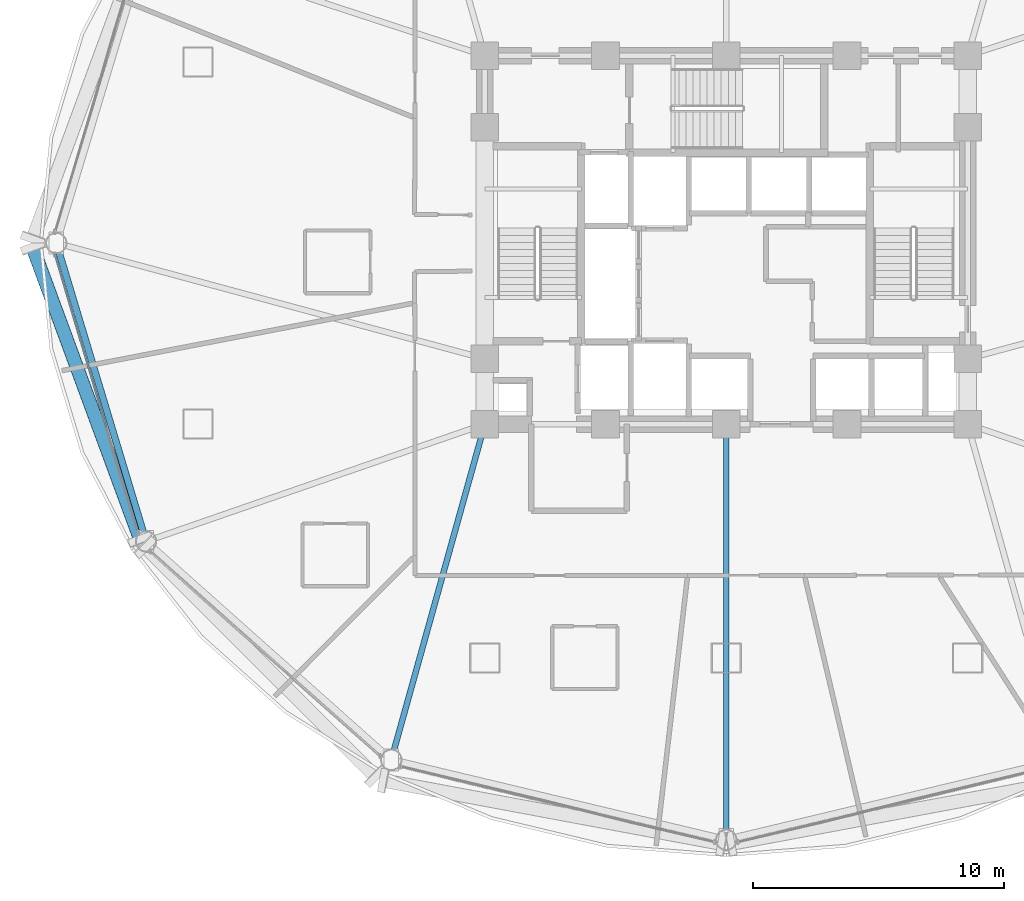
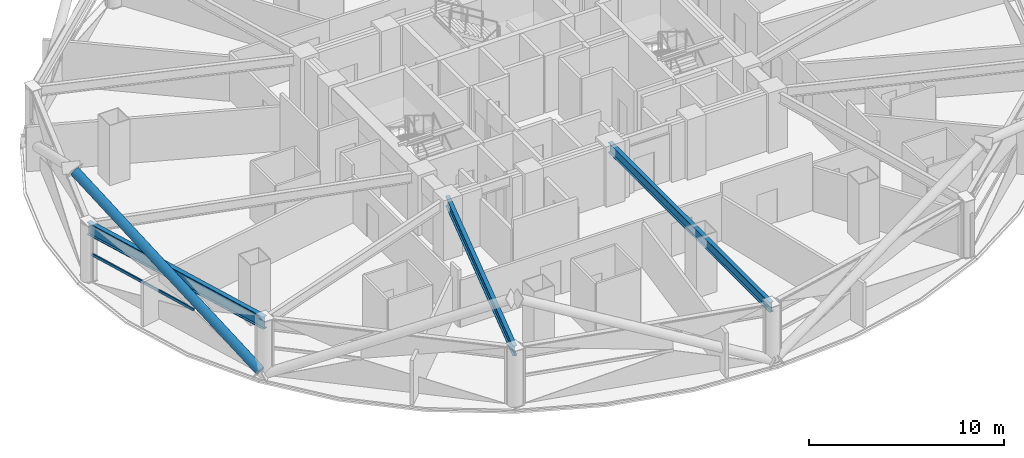
# One storey, part 5 of 30: 3 beams, 2 members, 1 element without a shape of its own.
"""IFC4 building model written with IfcOpenShell, lengths in metres."""

from ifc_helpers import new_model, si_unit, direction, frame, origin, origin_2d, place, context, subcontext, project, spatial, hollow_rectangle, hollow_circle, i_section, extrude, material, layer, layer_set, material_profile, profile_set, type_object, element, aggregate, save


model = new_model("IFC4")

# Units and contexts
model_context = context("Model", 3, precision=1e-05, world=origin(), true_north=direction((0.0, 1.0)))
body_context = subcontext(model_context, "Body", "Model", "MODEL_VIEW")
ifc_project = project(units=[si_unit("LENGTHUNIT", "METRE"), si_unit("AREAUNIT", "SQUARE_METRE"), si_unit("VOLUMEUNIT", "CUBIC_METRE"), si_unit("PLANEANGLEUNIT", "RADIAN"), si_unit("MASSUNIT", "GRAM", prefix="KILO")], contexts=[model_context])

# Site, building, storey
site_placement = place(None, origin())
site = spatial("IfcSite", under=ifc_project, at=site_placement, CompositionType="ELEMENT")
building_placement = place(site_placement, origin())
building = spatial("IfcBuilding", under=site, at=building_placement, Name="Vantalir Tower", CompositionType="ELEMENT")
storey_placement = place(building_placement, frame((0.0, 0.0, 49.5)))
storey = spatial("IfcBuildingStorey", under=building, at=storey_placement, Name="L11", CompositionType="ELEMENT", Elevation=49.5)

# Beams
ifc_material_1 = material(Name="Steel S355", Category="steel")
ifc_material_profile_1 = material_profile(ifc_material_1, i_section(OverallWidth=0.22998046875, OverallDepth=0.616943359375, WebThickness=0.01318359375, FlangeThickness=0.022216796875, at=origin_2d()), Name="Steel S355")
ifc_profile_set_1 = profile_set([ifc_material_profile_1], Name="Steel S355")
beam_type_1 = type_object("IfcBeamType", Name="BM-RB-610x229", PredefinedType="BEAM", material=ifc_profile_set_1)
beam_1_placement = place(storey_placement, frame((18.179931640625, 4.452880859375, 3.261962890625), z_axis=(0.268476196098, 0.963286318873, 0.0), x_axis=(-0.963286318873, 0.268476196098, 0.0)))
element("IfcBeam", 1, at=beam_1_placement, inside=storey, type_object=beam_type_1, Name="L11 Radial Floor Beam 09", PredefinedType="BEAM", context=body_context, shape_type="SweptSolid", body=[
    extrude(i_section(OverallWidth=0.22998046875, OverallDepth=0.616943359375, WebThickness=0.01318359375, FlangeThickness=0.022216796875, at=origin_2d()), origin(), (0.0, 0.0, 1.0), 13.85595703125),
])
beam_2_placement = place(storey_placement, frame((31.5, 1.27392578125, 3.261962890625), z_axis=(0.0, 1.0, 0.0), x_axis=(-1.0, 0.0, 0.0)))
element("IfcBeam", 2, at=beam_2_placement, inside=storey, type_object=beam_type_1, Name="L11 Radial Floor Beam 10", PredefinedType="BEAM", context=body_context, shape_type="SweptSolid", body=[
    extrude(i_section(OverallWidth=0.22998046875, OverallDepth=0.616943359375, WebThickness=0.01318359375, FlangeThickness=0.022216796875, at=origin_2d()), origin(), (0.0, 0.0, 1.0), 16.526123046875),
])
ifc_material_2 = material(Name="Steel S460", Category="steel")
ifc_material_profile_2 = material_profile(ifc_material_2, i_section(OverallWidth=0.26806640625, OverallDepth=0.77001953125, WebThickness=0.015625, FlangeThickness=0.025390625, at=origin_2d()), Name="Steel S460")
ifc_profile_set_2 = profile_set([ifc_material_profile_2], Name="Steel S460")
beam_type_2 = type_object("IfcBeamType", Name="BM-RG-762x267", PredefinedType="USERDEFINED", material=ifc_profile_set_2)
beam_3_placement = place(storey_placement, frame((4.861083984375, 25.0, 3.18505859375), z_axis=(0.288083666515, -0.957605242826, 0.0), x_axis=(0.957605242826, 0.288083666515, 0.0)))
element("IfcBeam", 3, at=beam_3_placement, inside=storey, type_object=beam_type_2, Name="L11 Circumferential Ring Girder 07", ObjectType="GIRDER", PredefinedType="USERDEFINED", context=body_context, shape_type="SweptSolid", body=[
    extrude(i_section(OverallWidth=0.26806640625, OverallDepth=0.77001953125, WebThickness=0.015625, FlangeThickness=0.025390625, at=origin_2d()), origin(), (0.0, 0.0, 1.0), 12.38818359375),
])

# Curtain wall, member
ifc_material_3 = material(Name="Champagne-silver PVDF aluminium and double-silver Low-E glass", Category="aluminium")
ifc_layer = layer(ifc_material_3, 0.18994140625)
ifc_layer_set = layer_set([ifc_layer], Name="Champagne-silver PVDF aluminium and double-silver Low-E glass")
curtain_wall_type = type_object("IfcCurtainWallType", Name="CW-DIAMOND-Z1", PredefinedType="USERDEFINED", material=ifc_layer_set)
curtain_wall_placement = place(storey_placement, origin())
curtain_wall = element("IfcCurtainWall", 4, at=curtain_wall_placement, inside=storey, type_object=curtain_wall_type, Name="L11 Quilted Pyramid-Diamond Curtain Wall S07", ObjectType="UNITISED CURTAIN WALL", PredefinedType="USERDEFINED")
ifc_material_4 = material(Name="Champagne-silver PVDF aluminium 6063-T6", Category="aluminium")
ifc_material_profile_3 = material_profile(ifc_material_4, hollow_rectangle(XDim=0.074951171875, YDim=0.159912109375, WallThickness=0.00390625, at=origin_2d()), Name="Champagne-silver PVDF aluminium 6063-T6")
ifc_profile_set_3 = profile_set([ifc_material_profile_3], Name="Champagne-silver PVDF aluminium 6063-T6")
member_type_1 = type_object("IfcMemberType", Name="CWT-160x75", PredefinedType="USERDEFINED", material=ifc_profile_set_3)
member_1_placement = place(storey_placement, frame((4.805908203125, 24.550048828125, 1.784912109375), z_axis=(0.284678104655, -0.95862316722, 0.0), x_axis=(0.95862316722, 0.284678104655, 0.0)))
member_1 = element("IfcMember", 5, at=member_1_placement, type_object=member_type_1, Name="CW-L11-S07 Pyramid Fold Ridge Transom", ObjectType="TRANSOM", PredefinedType="USERDEFINED", context=body_context, shape_type="SweptSolid", body=[
    extrude(hollow_rectangle(XDim=0.074951171875, YDim=0.159912109375, WallThickness=0.00390625, at=origin_2d()), origin(), (0.0, 0.0, 1.0), 7.1591796875),
])
aggregate(curtain_wall, [member_1])

# Member
ifc_material_profile_4 = material_profile(ifc_material_2, hollow_circle(Radius=0.27001953125, WallThickness=0.044921875, at=origin_2d()), Name="Steel S460")
ifc_profile_set_4 = profile_set([ifc_material_profile_4], Name="Steel S460")
member_type_2 = type_object("IfcMemberType", Name="MEM-DB-540x45", PredefinedType="BRACE", material=ifc_profile_set_4)
member_2_placement = place(storey_placement, frame((8.198974609375, 13.221923828125, 0.18798828125), z_axis=(-0.301456624879, 0.818062288445, 0.489793829627), x_axis=(-0.938318834505, -0.345771260827, 0.0)))
element("IfcMember", 6, at=member_2_placement, inside=storey, type_object=member_type_2, Name="L11 Perimeter S460 Diagrid Brace R22R", PredefinedType="BRACE", context=body_context, shape_type="SweptSolid", body=[
    extrude(hollow_circle(Radius=0.27001953125, WallThickness=0.044921875, at=origin_2d()), origin(), (0.0, 0.0, 1.0), 14.177490234375),
])

save(model, "model.ifc")
